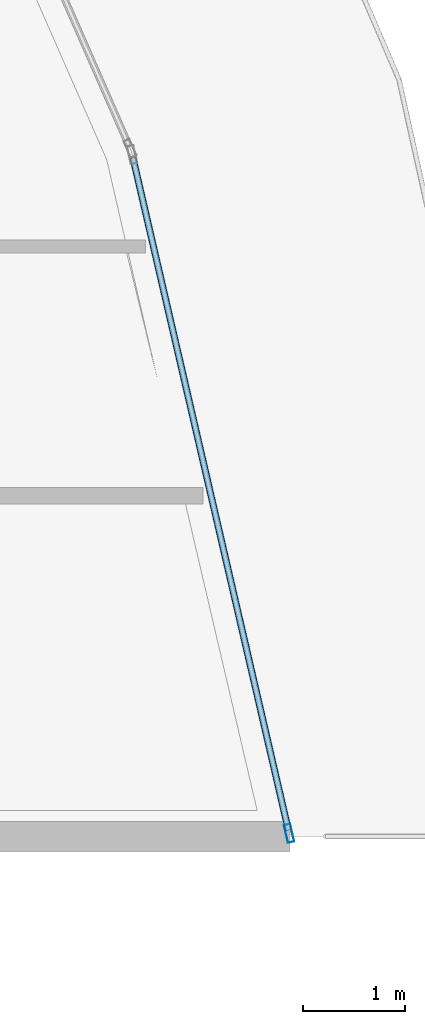
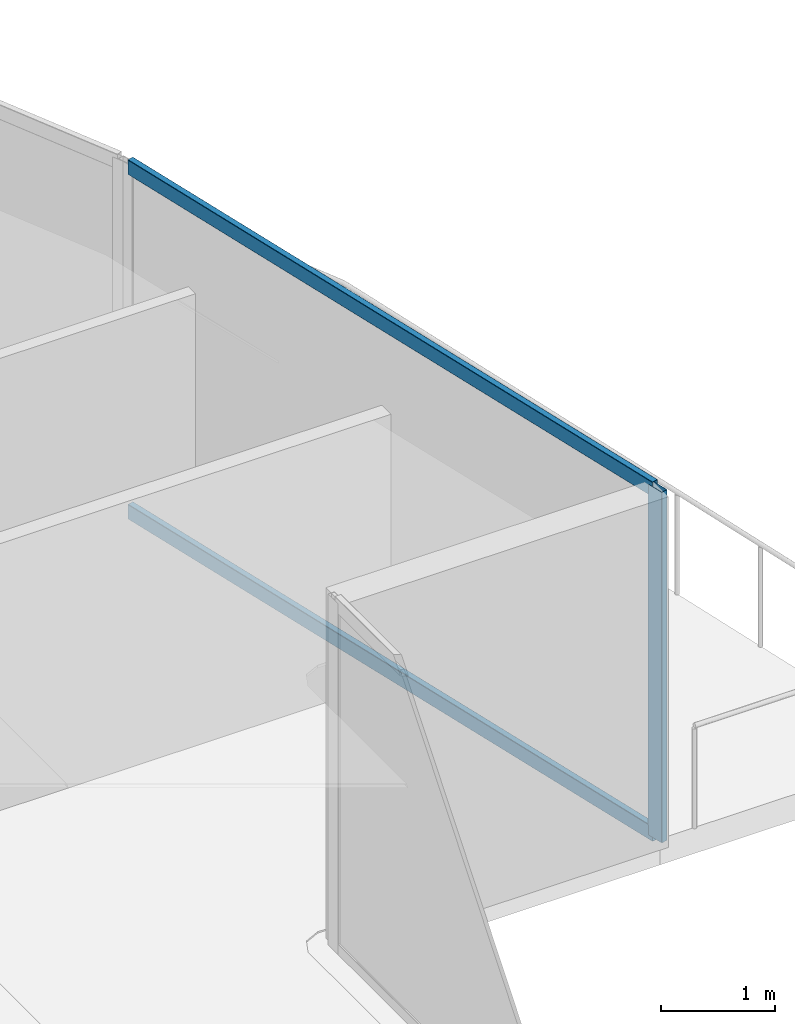
# One storey, part 25 of 42: 3 members, 1 element without a shape of its own.
"""IFC4 building model written with IfcOpenShell, lengths in metres."""

from ifc_helpers import new_model, si_unit, direction, frame, origin, origin_2d, place, context, subcontext, project, spatial, hollow_rectangle, extrude, material, layer, layer_set, material_profile, profile_set, type_object, element, aggregate, save


model = new_model("IFC4")

# Units and contexts
model_context = context("Model", 3, precision=1e-05, world=origin(), true_north=direction((0.0, 1.0)))
body_context = subcontext(model_context, "Body", "Model", "MODEL_VIEW")
ifc_project = project(units=[si_unit("LENGTHUNIT", "METRE"), si_unit("AREAUNIT", "SQUARE_METRE"), si_unit("VOLUMEUNIT", "CUBIC_METRE"), si_unit("PLANEANGLEUNIT", "RADIAN"), si_unit("MASSUNIT", "GRAM", prefix="KILO")], contexts=[model_context])

# Site, building, storey
site_placement = place(None, origin())
site = spatial("IfcSite", under=ifc_project, at=site_placement, CompositionType="ELEMENT")
building_placement = place(site_placement, origin())
building = spatial("IfcBuilding", under=site, at=building_placement, Name="Qorvath Tower", CompositionType="ELEMENT")
storey_placement = place(building_placement, frame((0.0, 0.0, 117.89990234375)))
storey = spatial("IfcBuildingStorey", under=building, at=storey_placement, Name="L26", CompositionType="ELEMENT", Elevation=117.89990234375)

# Curtain wall, members
ifc_material_1 = material(Name="Anodised aluminium and triple low-E glass", Category="aluminium")
ifc_layer = layer(ifc_material_1, 0.179931640625)
ifc_layer_set = layer_set([ifc_layer], Name="CW-SYS-2")
curtain_wall_type = type_object("IfcCurtainWallType", Name="CW-SYS-2", PredefinedType="NOTDEFINED", material=ifc_layer_set)
curtain_wall_placement = place(storey_placement, origin())
curtain_wall = element("IfcCurtainWall", 1, at=curtain_wall_placement, inside=storey, type_object=curtain_wall_type, Name="Curtain Wall CW-2 CW-T-L26-11.1", PredefinedType="NOTDEFINED")
ifc_material_2 = material(Name="Anodised aluminium 6063-T6", Category="aluminium")
ifc_material_profile_1 = material_profile(ifc_material_2, hollow_rectangle(XDim=0.06494140625, YDim=0.179931640625, WallThickness=0.00341796875, InnerFilletRadius=0.00341796875, OuterFilletRadius=0.007080078125, at=origin_2d()), Name="CWM 180x65")
ifc_profile_set_1 = profile_set([ifc_material_profile_1], Name="Anodised aluminium 6063-T6")
member_type_1 = type_object("IfcMemberType", Name="CWM-180", PredefinedType="MULLION", material=ifc_profile_set_1)
member_1_placement = place(storey_placement, frame((4.691650390625, 4.999755859375, 0.0), z_axis=(0.0, 0.0, 1.0), x_axis=(-0.974296356855, -0.225270080166, 0.0)))
member_1 = element("IfcMember", 2, at=member_1_placement, type_object=member_type_1, Name="CW-2 mullion 1", PredefinedType="MULLION", context=body_context, shape_type="SweptSolid", body=[
    extrude(hollow_rectangle(XDim=0.06494140625, YDim=0.179931640625, WallThickness=0.00341796875, InnerFilletRadius=0.00341796875, OuterFilletRadius=0.007080078125, at=origin_2d()), origin(), (0.0, 0.0, 1.0), 3.77001953125),
])
ifc_material_3 = material(Name="Anodised aluminium 6063-T6", Category="aluminium")
ifc_material_profile_2 = material_profile(ifc_material_3, hollow_rectangle(XDim=0.06494140625, YDim=0.159912109375, WallThickness=0.00341796875, InnerFilletRadius=0.00341796875, OuterFilletRadius=0.007080078125, at=origin_2d()), Name="CWT 160x65")
ifc_profile_set_2 = profile_set([ifc_material_profile_2], Name="Anodised aluminium 6063-T6")
member_type_2 = type_object("IfcMemberType", Name="CWT-160", PredefinedType="USERDEFINED", material=ifc_profile_set_2)
member_2_placement = place(storey_placement, frame((4.684326171875, 5.03125, 0.032470703125), z_axis=(-0.22526763041, 0.974296923268, 0.0), x_axis=(-0.974296923268, -0.22526763041, 0.0)))
member_2 = element("IfcMember", 3, at=member_2_placement, type_object=member_type_2, Name="CW-2 transom 1.1", ObjectType="TRANSOM", PredefinedType="USERDEFINED", context=body_context, shape_type="SweptSolid", body=[
    extrude(hollow_rectangle(XDim=0.06494140625, YDim=0.159912109375, WallThickness=0.00341796875, InnerFilletRadius=0.00341796875, OuterFilletRadius=0.007080078125, at=origin_2d()), origin(), (0.0, 0.0, 1.0), 6.771484375),
])
member_3_placement = place(storey_placement, frame((4.684326171875, 5.03125, 3.737548828125), z_axis=(-0.22526763041, 0.974296923268, 0.0), x_axis=(-0.974296923268, -0.22526763041, 0.0)))
member_3 = element("IfcMember", 4, at=member_3_placement, type_object=member_type_2, Name="CW-2 transom 1.2", ObjectType="TRANSOM", PredefinedType="USERDEFINED", context=body_context, shape_type="SweptSolid", body=[
    extrude(hollow_rectangle(XDim=0.06494140625, YDim=0.159912109375, WallThickness=0.00341796875, InnerFilletRadius=0.00341796875, OuterFilletRadius=0.007080078125, at=origin_2d()), origin(), (0.0, 0.0, 1.0), 6.771484375),
])
aggregate(curtain_wall, [member_1, member_2, member_3])

save(model, "model.ifc")
